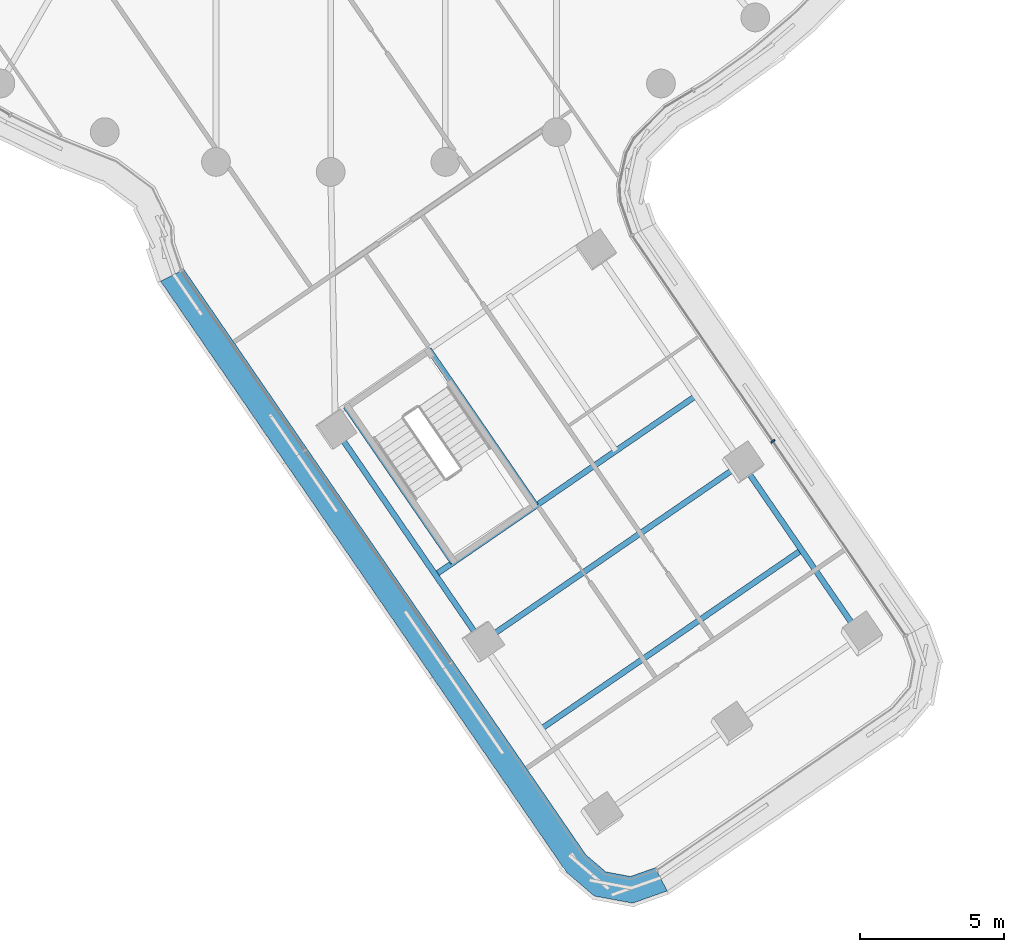
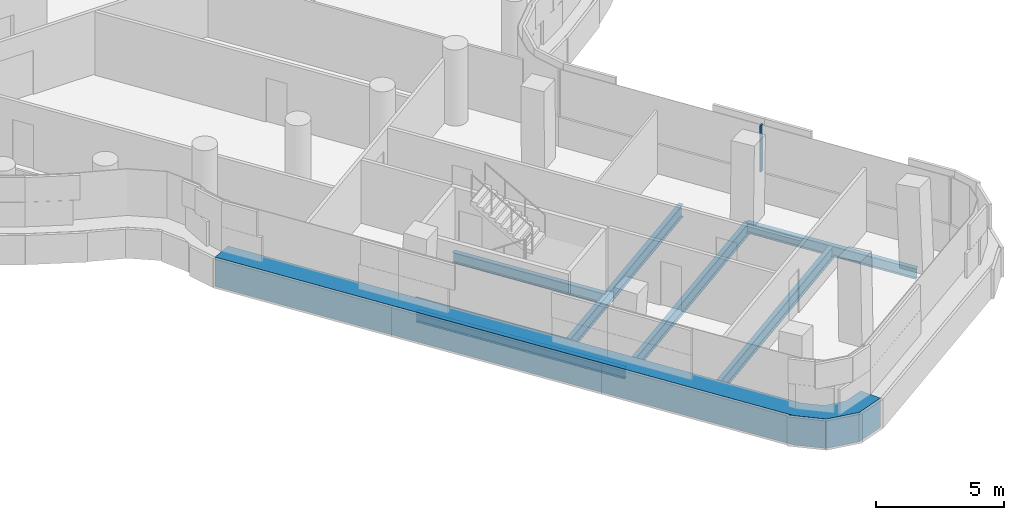
# One storey, part 4 of 33: 7 beams, 2 members, 2 elements without a shape of their own.
"""IFC4 building model written with IfcOpenShell, lengths in metres."""

from ifc_helpers import new_model, si_unit, direction, frame, origin, origin_2d, place, context, subcontext, project, spatial, polyline, rectangle, i_section, outline, extrude, material, layer, layer_set, material_profile, profile_set, type_object, element, aggregate, save


model = new_model("IFC4")

# Units and contexts
model_context = context("Model", 3, precision=1e-05, world=origin(), true_north=direction((0.0, 1.0)))
body_context = subcontext(model_context, "Body", "Model", "MODEL_VIEW")
ifc_project = project(units=[si_unit("LENGTHUNIT", "METRE"), si_unit("AREAUNIT", "SQUARE_METRE"), si_unit("VOLUMEUNIT", "CUBIC_METRE"), si_unit("PLANEANGLEUNIT", "RADIAN"), si_unit("MASSUNIT", "GRAM", prefix="KILO")], contexts=[model_context])

# Site, building, storey
site_placement = place(None, origin())
site = spatial("IfcSite", under=ifc_project, at=site_placement, CompositionType="ELEMENT")
building_placement = place(site_placement, origin())
building = spatial("IfcBuilding", under=site, at=building_placement, Name="Tamarind Cross Interchange Tower", CompositionType="ELEMENT")
storey_placement = place(building_placement, frame((0.0, 0.0, 159.25)))
storey = spatial("IfcBuildingStorey", under=building, at=storey_placement, Name="L39", CompositionType="ELEMENT", Elevation=159.25)

# Beams
ifc_material_1 = material(Name="Steel Q355B", Category="steel")
ifc_material_profile_1 = material_profile(ifc_material_1, i_section(OverallWidth=0.198974609375, OverallDepth=0.49609375, WebThickness=0.009033203125, FlangeThickness=0.013916015625, FilletRadius=0.012939453125, at=origin_2d()), Name="HN 496x199x9x14")
ifc_profile_set_1 = profile_set([ifc_material_profile_1], Name="Steel Q355B")
beam_type_1 = type_object("IfcBeamType", Name="Composite beam HN 496x199x9x14 Q355B", PredefinedType="BEAM", material=ifc_profile_set_1)
beam_1_placement = place(storey_placement, frame((5.259521484375, -39.37451171875, -0.387939453125), z_axis=(-0.566091253332, 0.824342582244, 0.0), x_axis=(-0.824342582244, -0.566091253332, 0.0)))
element("IfcBeam", 1, at=beam_1_placement, inside=storey, type_object=beam_type_1, Name="Beam S-edgeem6", PredefinedType="BEAM", context=body_context, shape_type="SweptSolid", body=[
    extrude(i_section(OverallWidth=0.198974609375, OverallDepth=0.49609375, WebThickness=0.009033203125, FlangeThickness=0.013916015625, FilletRadius=0.012939453125, at=origin_2d()), origin(), (0.0, 0.0, 1.0), 8.999755859375),
])
beam_2_placement = place(storey_placement, frame((18.468994140625, -39.1787109375, -0.387939453125), z_axis=(-0.566075553028, 0.824353363712, 0.0), x_axis=(-0.824353363712, -0.566075553028, 0.0)))
element("IfcBeam", 2, at=beam_2_placement, inside=storey, type_object=beam_type_1, Name="Beam S-edgeep2", PredefinedType="BEAM", context=body_context, shape_type="SweptSolid", body=[
    extrude(i_section(OverallWidth=0.198974609375, OverallDepth=0.49609375, WebThickness=0.009033203125, FlangeThickness=0.013916015625, FilletRadius=0.012939453125, at=origin_2d()), origin(), (0.0, 0.0, 1.0), 7.31640625),
])
beam_3_placement = place(storey_placement, frame((0.5283203125, -31.159912109375, -0.387939453125), z_axis=(0.566078170186, -0.824351566529, 0.0), x_axis=(0.824351566529, 0.566078170186, 0.0)))
element("IfcBeam", 3, at=beam_3_placement, inside=storey, type_object=beam_type_1, Name="Beam S-tr0", PredefinedType="BEAM", context=body_context, shape_type="SweptSolid", body=[
    extrude(i_section(OverallWidth=0.198974609375, OverallDepth=0.49609375, WebThickness=0.009033203125, FlangeThickness=0.013916015625, FilletRadius=0.012939453125, at=origin_2d()), origin(), (0.0, 0.0, 1.0), 6.599853515625),
])
beam_4_placement = place(storey_placement, frame((3.413330078125, -29.1787109375, -0.387939453125), z_axis=(0.566103307052, -0.824334304603, 0.0), x_axis=(0.824334304603, 0.566103307052, 0.0)))
element("IfcBeam", 4, at=beam_4_placement, inside=storey, type_object=beam_type_1, Name="Beam S-tr1", PredefinedType="BEAM", context=body_context, shape_type="SweptSolid", body=[
    extrude(i_section(OverallWidth=0.198974609375, OverallDepth=0.49609375, WebThickness=0.009033203125, FlangeThickness=0.013916015625, FilletRadius=0.012939453125, at=origin_2d()), origin(), (0.0, 0.0, 1.0), 6.60009765625),
])
ifc_material_profile_2 = material_profile(ifc_material_1, i_section(OverallWidth=0.199951171875, OverallDepth=0.60009765625, WebThickness=0.010986328125, FlangeThickness=0.01708984375, FilletRadius=0.012939453125, at=origin_2d()), Name="HN 600x200x11x17")
ifc_profile_set_2 = profile_set([ifc_material_profile_2], Name="Steel Q355B")
beam_type_2 = type_object("IfcBeamType", Name="Composite beam HN 600x200x11x17 Q355B", PredefinedType="BEAM", material=ifc_profile_set_2)
for number, where, z_axis, x_axis, name in (
    (5, (3.646240234375, -37.025146484375, -0.43994140625), (0.824336467633, 0.566100157331, 0.0), (-0.566100157331, 0.824336467633, 0.0), "Beam S-x364"),
    (6, (5.259521484375, -39.37451171875, -0.43994140625), (0.824343580186, 0.566089800125, 0.0), (-0.566089800125, 0.824343580186, 0.0), "Beam S-x393"),
    (7, (7.33056640625, -42.39013671875, -0.43994140625), (0.824336467633, 0.566100157331, 0.0), (-0.566100157331, 0.824336467633, 0.0), "Beam S-x430"),
):
    element("IfcBeam", number, at=place(storey_placement, frame(where, z_axis=z_axis, x_axis=x_axis)), inside=storey, type_object=beam_type_2, Name=name, PredefinedType="BEAM", context=body_context, shape_type="SweptSolid", body=[
        extrude(i_section(OverallWidth=0.199951171875, OverallDepth=0.60009765625, WebThickness=0.010986328125, FlangeThickness=0.01708984375, FilletRadius=0.012939453125, at=origin_2d()), origin(), (0.0, 0.0, 1.0), 11.0),
    ])

# Curtain wall, member
ifc_material_2 = material(Name="Aluminium 6063-T6", Category="aluminium")
ifc_layer = layer(ifc_material_2, 0.159912109375)
ifc_layer_set = layer_set([ifc_layer], Name="Aluminium 6063-T6")
curtain_wall_type = type_object("IfcCurtainWallType", Name="Office curtain wall, 9.0 m bays", PredefinedType="NOTDEFINED", material=ifc_layer_set)
curtain_wall_1_placement = place(storey_placement, origin())
curtain_wall_1 = element("IfcCurtainWall", 8, at=curtain_wall_1_placement, inside=storey, type_object=curtain_wall_type, Name="CWS-L39-03", PredefinedType="NOTDEFINED")
ifc_material_3 = material(Name="Aluminium and insulated spandrel panel", Category="aluminium")
member_type_1 = type_object("IfcMemberType", Name="Floor-edge blade transom", PredefinedType="USERDEFINED", material=ifc_material_3)
member_1_placement = place(storey_placement, origin())
member_1 = element("IfcMember", 9, at=member_1_placement, type_object=member_type_1, Name="CWT-L39-03", ObjectType="TRANSOM", PredefinedType="USERDEFINED", context=body_context, shape_type="SweptSolid", body=[
    extrude(outline(polyline([(-5.1103515625, -26.393798828125), (8.886474609375, -46.77587890625), (9.582275390625, -47.37060546875), (10.442138671875, -47.5302734375), (11.30517578125, -47.22509765625), (11.717041015625, -48.0341796875), (10.514892578125, -48.459228515625), (9.180908203125, -48.21142578125), (8.211669921875, -47.383056640625), (-5.922607421875, -26.801025390625), (-5.1103515625, -26.393798828125)])), origin(), (0.0, 0.0, 1.0), 1.39990234375),
])
aggregate(curtain_wall_1, [member_1])

curtain_wall_2_placement = place(storey_placement, origin())
curtain_wall_2 = element("IfcCurtainWall", 10, at=curtain_wall_2_placement, inside=storey, type_object=curtain_wall_type, Name="CWS-L39-05", PredefinedType="NOTDEFINED")
ifc_material_profile_3 = material_profile(ifc_material_2, rectangle(XDim=0.06005859375, YDim=0.159912109375, at=origin_2d()), Name="Mullion CW1")
ifc_profile_set_3 = profile_set([ifc_material_profile_3], Name="Aluminium 6063-T6")
member_type_2 = type_object("IfcMemberType", Name="Mullion CW1", PredefinedType="MULLION", material=ifc_profile_set_3)
member_2_placement = place(storey_placement, frame((15.3984375, -32.379150390625, 1.39990234375), z_axis=(0.0, 0.0, 1.0), x_axis=(-0.564300572341, 0.825569418072, 0.0)))
member_2 = element("IfcMember", 11, at=member_2_placement, type_object=member_type_2, Name="CWM-L39-05-01", PredefinedType="MULLION", context=body_context, shape_type="SweptSolid", body=[
    extrude(rectangle(XDim=0.06005859375, YDim=0.159912109375, at=origin_2d()), origin(), (0.0, 0.0, 1.0), 2.210205078125),
])
aggregate(curtain_wall_2, [member_2])

save(model, "model.ifc")
